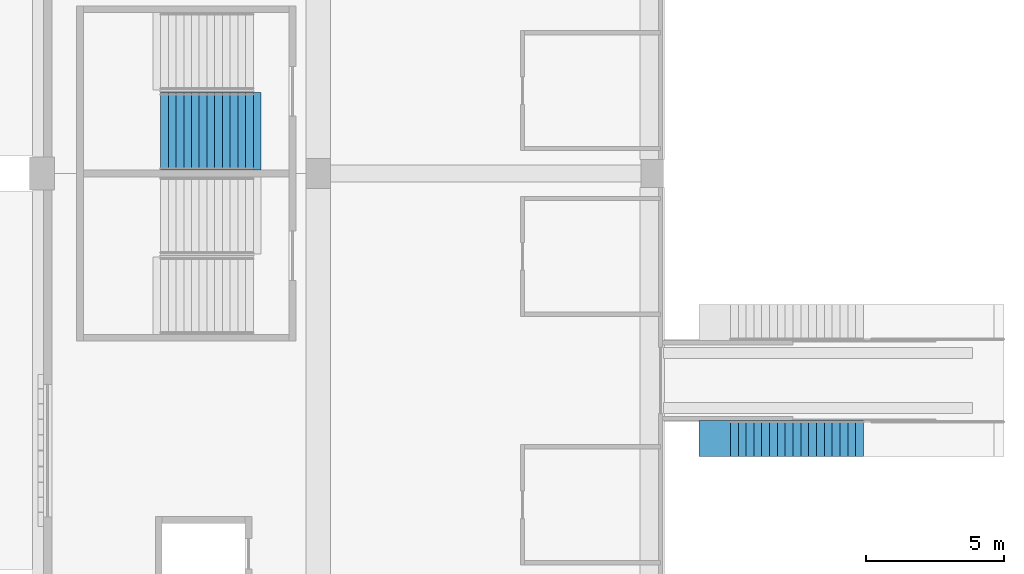
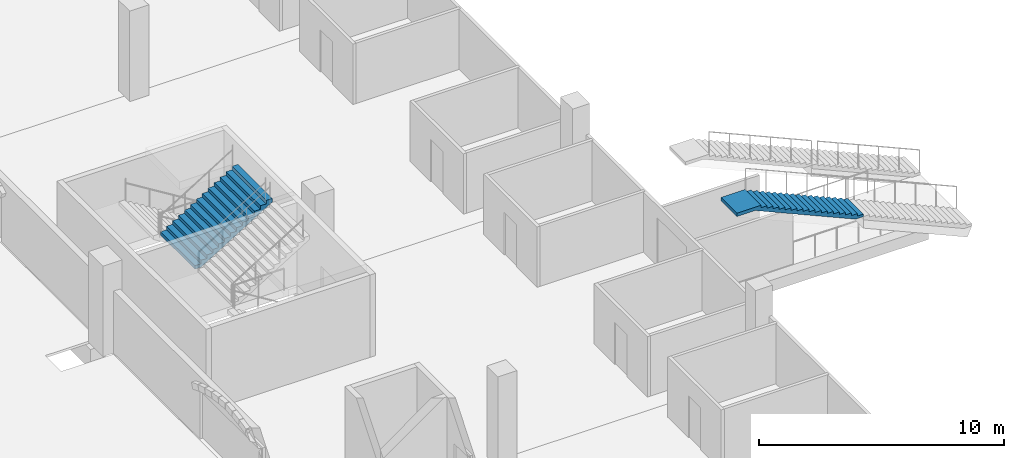
# One storey, part 85 of 175: 2 stair flights, 2 elements without a shape of their own.
"""IFC4 building model written with IfcOpenShell, lengths in metres."""

import ifcopenshell
import ifcopenshell.guid

model = None  # the IFC model being written
_history = None  # IfcOwnerHistory: only IFC2X3 demands one
_inside = {}  # id of a spatial element -> (the spatial element, [elements in it])
_under = {}  # id of a project, library or spatial element -> (it, [spatial elements below it])
_declared = {}  # id of a project -> (the project, [libraries it declares])
_typed = {}  # id of a type object -> (the type object, [elements of that type])
_made_of = {}  # id of a material, layer set ... -> (it, [elements and type objects made of it])


def new_model(schema):
    """Start an empty IFC model of exactly this schema.

    Asked for "IFC4X3", IfcOpenShell would pick the latest addendum, in which some entities
    have other attributes; the version numbers below select the first issue.
    IFC2X3 requires an IfcOwnerHistory on every rooted entity: one is made here for all.
    """
    global model, _history
    if schema == "IFC4X3":
        model = ifcopenshell.file(schema_version=(4, 3, 0, 0))
    else:
        model = ifcopenshell.file(schema=schema)
    _inside.clear()
    _under.clear()
    _declared.clear()
    _typed.clear()
    _made_of.clear()
    _history = None
    if model.schema == "IFC2X3":
        org = make("IfcOrganization", Name="unknown")
        user = make(
            "IfcPersonAndOrganization",
            ThePerson=make("IfcPerson", FamilyName="unknown"),
            TheOrganization=org,
        )
        app = make(
            "IfcApplication",
            ApplicationDeveloper=org,
            Version="unknown",
            ApplicationFullName="unknown",
            ApplicationIdentifier="unknown",
        )
        _history = make(
            "IfcOwnerHistory",
            OwningUser=user,
            OwningApplication=app,
            ChangeAction="ADDED",
            CreationDate=0,
        )
    return model


def make(cls, **values):
    """One entity of the class cls with the attributes given. An attribute that is None is left unset."""
    return model.create_entity(
        cls, **{name: value for name, value in values.items() if value is not None}
    )


def rooted(cls, **values):
    """An entity with a GlobalId (a new one), such as an element, a storey or a relation."""
    return make(cls, GlobalId=ifcopenshell.guid.new(), OwnerHistory=_history, **values)


def si_unit(unit_type, name, prefix=None):
    """IfcSIUnit, for example si_unit("LENGTHUNIT", "METRE", prefix="MILLI")."""
    return make("IfcSIUnit", UnitType=unit_type, Prefix=prefix, Name=name)


def assignment(units):
    """IfcUnitAssignment: the units of a project."""
    return None if units is None else make("IfcUnitAssignment", Units=units)


def point(xyz):
    """IfcCartesianPoint."""
    return None if xyz is None else make("IfcCartesianPoint", Coordinates=xyz)


def direction(xyz):
    """IfcDirection."""
    return None if xyz is None else make("IfcDirection", DirectionRatios=xyz)


def frame(location, z_axis=None, x_axis=None):
    """IfcAxis2Placement3D, a coordinate frame: its origin and axes. An axis left out is left unset."""
    return make(
        "IfcAxis2Placement3D",
        Location=point(location),
        Axis=direction(z_axis),
        RefDirection=direction(x_axis),
    )


def origin():
    """The frame at (0, 0, 0) with its axes left unset."""
    return frame((0.0, 0.0, 0.0))


def place(relative_to, where):
    """IfcLocalPlacement: puts the frame where relative to a parent placement (None: the world)."""
    return make(
        "IfcLocalPlacement", PlacementRelTo=relative_to, RelativePlacement=where
    )


def context(
    kind, dimensions, precision=None, world=None, true_north=None, identifier=None
):
    """IfcGeometricRepresentationContext, for example the 3D "Model" context."""
    return make(
        "IfcGeometricRepresentationContext",
        ContextIdentifier=identifier,
        ContextType=kind,
        CoordinateSpaceDimension=dimensions,
        Precision=precision,
        WorldCoordinateSystem=world,
        TrueNorth=true_north,
    )


def subcontext(parent, identifier, kind, view, scale=None):
    """IfcGeometricRepresentationSubContext, for example "Body" below "Model"."""
    return make(
        "IfcGeometricRepresentationSubContext",
        ContextIdentifier=identifier,
        ContextType=kind,
        ParentContext=parent,
        TargetScale=scale,
        TargetView=view,
    )


def project(units=None, contexts=None):
    """IfcProject with its units and contexts."""
    return rooted(
        "IfcProject",
        Name="project",
        RepresentationContexts=contexts,
        UnitsInContext=assignment(units),
    )


def spatial(cls, under=None, at=None, **own):
    """A site, building, storey or space (cls), placed at a placement, below another one or the project."""
    s = rooted(cls, ObjectPlacement=at, **own)
    if under is not None:
        _under.setdefault(under.id(), (under, []))[1].append(s)
    return s


def faces_of(points, faces, orient=None, outer=None):
    """IfcFace entities. A face is a list of loops; a loop is a list of indices into points, from 0.

    orient and outer hold one flag for each loop. By default every Orientation is true, the
    first loop of a face is its IfcFaceOuterBound and the others are IfcFaceBound.
    """
    made = []
    for i, loops in enumerate(faces):
        bounds = []
        for j, loop in enumerate(loops):
            is_outer = j == 0 if outer is None else outer[i][j]
            bounds.append(
                make(
                    "IfcFaceOuterBound" if is_outer else "IfcFaceBound",
                    Bound=make("IfcPolyLoop", Polygon=[points[k] for k in loop]),
                    Orientation=True if orient is None else orient[i][j],
                )
            )
        made.append(make("IfcFace", Bounds=bounds))
    return made


def faceted_brep(points, faces, orient=None, outer=None, voids=None):
    """IfcFacetedBrep: a solid bounded by flat faces; with voids (closed shells), ...WithVoids."""
    shared = [point(p) for p in points]
    hull = make("IfcClosedShell", CfsFaces=faces_of(shared, faces, orient, outer))
    if voids is None:
        return make("IfcFacetedBrep", Outer=hull)
    return make(
        "IfcFacetedBrepWithVoids",
        Outer=hull,
        Voids=[
            make(cls, CfsFaces=faces_of(shared, fs, o, b)) for cls, fs, o, b in voids
        ],
    )


def shape(context_of_items, identifier, shape_type, items):
    """IfcShapeRepresentation: the items that make up one representation, for example the "Body"."""
    return make(
        "IfcShapeRepresentation",
        ContextOfItems=context_of_items,
        RepresentationIdentifier=identifier,
        RepresentationType=shape_type,
        Items=items,
    )


def material(Name=None, Category=None):
    """IfcMaterial."""
    return make("IfcMaterial", Name=Name, Category=Category)


def made_of(thing, what):
    """Note that an element or type object is made of a material, layer set ...; save() writes the relation."""
    if what is not None:
        _made_of.setdefault(what.id(), (what, []))[1].append(thing)
    return thing


def type_object(cls, material=None, **own):
    """A type object (cls), such as IfcWallType, which elements share."""
    return made_of(rooted(cls, **own), material)


def element(
    cls,
    number,
    at=None,
    inside=None,
    cuts=None,
    type_object=None,
    material=None,
    context=None,
    identifier="Body",
    shape_type=None,
    held_by="IfcProductDefinitionShape",
    body=None,
    shapes=None,
    **own,
):
    """One element of the class cls, such as IfcWall. Its Tag is "e" and its number.

    at: its placement. inside: the storey or other place that contains it. cuts: it is an
    opening in that element (IfcRelVoidsElement). A single representation is given by context,
    identifier, shape_type and body (its items); several are given by shapes. held_by: the class
    of the entity that holds the representations. save() writes the other relations.
    """
    e = rooted(cls, Tag="e%d" % number, ObjectPlacement=at, **own)
    if body is not None:
        shapes = [shape(context, identifier, shape_type, body)]
    if shapes is not None:
        e.Representation = make(held_by, Representations=shapes)
    if inside is not None:
        _inside.setdefault(inside.id(), (inside, []))[1].append(e)
    if cuts is not None:
        rooted(
            "IfcRelVoidsElement", RelatingBuildingElement=cuts, RelatedOpeningElement=e
        )
    if type_object is not None:
        _typed.setdefault(type_object.id(), (type_object, []))[1].append(e)
    return made_of(e, material)


def aggregate(whole, parts):
    """IfcRelAggregates: a whole, such as a stair, and the parts it consists of."""
    return rooted("IfcRelAggregates", RelatingObject=whole, RelatedObjects=parts)


def save(model, path):
    """Write the relations noted so far, then the file.

    IfcRelAggregates (storeys below a building ...), IfcRelContainedInSpatialStructure (elements
    in a storey), IfcRelDefinesByType, IfcRelAssociatesMaterial and IfcRelDeclares: one each for
    every whole, place, type object, material and project.
    """
    for whole, parts in _under.values():
        aggregate(whole, parts)
    for where, things in _inside.values():
        rooted(
            "IfcRelContainedInSpatialStructure",
            RelatedElements=things,
            RelatingStructure=where,
        )
    for kind, things in _typed.values():
        rooted("IfcRelDefinesByType", RelatedObjects=things, RelatingType=kind)
    for what, things in _made_of.values():
        rooted("IfcRelAssociatesMaterial", RelatedObjects=things, RelatingMaterial=what)
    for by, libraries in _declared.values():
        rooted("IfcRelDeclares", RelatingContext=by, RelatedDefinitions=libraries)
    model.write(path)


model = new_model("IFC4")

# Units and contexts
model_context = context("Model", 3, precision=1e-05, world=origin(), true_north=direction((0.0, 1.0)))
body_context = subcontext(model_context, "Body", "Model", "MODEL_VIEW")
ifc_project = project(units=[si_unit("LENGTHUNIT", "METRE"), si_unit("AREAUNIT", "SQUARE_METRE"), si_unit("VOLUMEUNIT", "CUBIC_METRE"), si_unit("PLANEANGLEUNIT", "RADIAN"), si_unit("MASSUNIT", "GRAM", prefix="KILO")], contexts=[model_context])

# Site, building, storey
site_placement = place(None, origin())
site = spatial("IfcSite", under=ifc_project, at=site_placement, CompositionType="ELEMENT")
building_placement = place(site_placement, origin())
building = spatial("IfcBuilding", under=site, at=building_placement, Name="Ogive Plaza Stadium", CompositionType="ELEMENT")
storey_placement = place(building_placement, origin())
storey = spatial("IfcBuildingStorey", under=building, at=storey_placement, Name="L00", CompositionType="ELEMENT", Elevation=0.0)

# Stair, stair flight
ifc_material_1 = material(Name="Concrete C40/50", Category="concrete")
stair_type_1 = type_object("IfcStairType", Name="Aisle stair", PredefinedType="STRAIGHT_RUN_STAIR", material=ifc_material_1)
stair_1_placement = place(storey_placement, origin())
stair_1 = element("IfcStair", 1, at=stair_1_placement, inside=storey, type_object=stair_type_1, Name="Aisle stair SA25R", PredefinedType="STRAIGHT_RUN_STAIR")
ifc_material_2 = material(Name="Concrete C40/50", Category="concrete")
stair_flight_type_1 = type_object("IfcStairFlightType", Name="Aisle stair flight", PredefinedType="STRAIGHT", material=ifc_material_2)
stair_flight_1_placement = place(storey_placement, frame((-54.25, 12.89990234375, 2.25), z_axis=(0.0, 0.0, 1.0), x_axis=(-1.0, 0.0, 0.0)))
stair_flight_1 = element("IfcStairFlight", 2, at=stair_flight_1_placement, type_object=stair_flight_type_1, Name="SA25R flight 2", NumberOfRisers=18, NumberOfTreads=17, PredefinedType="STRAIGHT", RiserHeight=0.125, TreadLength=0.283333333, context=body_context, shape_type="Brep", body=[
    faceted_brep([(0.371337890625, -0.64990234375, 0.0), (5.10009765625, -0.64990234375, 2.086181640625), (5.949951171875, -0.64990234375, 2.086181640625), (5.949951171875, -0.64990234375, 2.25), (4.816650390625, -0.64990234375, 2.25), (4.816650390625, -0.64990234375, 2.125), (4.533447265625, -0.64990234375, 2.125), (4.533447265625, -0.64990234375, 2.0), (4.25, -0.64990234375, 2.0), (4.25, -0.64990234375, 1.875), (3.966552734375, -0.64990234375, 1.875), (3.966552734375, -0.64990234375, 1.75), (3.683349609375, -0.64990234375, 1.75), (3.683349609375, -0.64990234375, 1.625), (3.39990234375, -0.64990234375, 1.625), (3.39990234375, -0.64990234375, 1.5), (3.11669921875, -0.64990234375, 1.5), (3.11669921875, -0.64990234375, 1.375), (2.833251953125, -0.64990234375, 1.375), (2.833251953125, -0.64990234375, 1.25), (2.550048828125, -0.64990234375, 1.25), (2.550048828125, -0.64990234375, 1.125), (2.2666015625, -0.64990234375, 1.125), (2.2666015625, -0.64990234375, 1.0), (1.9833984375, -0.64990234375, 1.0), (1.9833984375, -0.64990234375, 0.875), (1.699951171875, -0.64990234375, 0.875), (1.699951171875, -0.64990234375, 0.75), (1.416748046875, -0.64990234375, 0.75), (1.416748046875, -0.64990234375, 0.625), (1.13330078125, -0.64990234375, 0.625), (1.13330078125, -0.64990234375, 0.5), (0.85009765625, -0.64990234375, 0.5), (0.85009765625, -0.64990234375, 0.375), (0.566650390625, -0.64990234375, 0.375), (0.566650390625, -0.64990234375, 0.25), (0.283447265625, -0.64990234375, 0.25), (0.283447265625, -0.64990234375, 0.125), (0.0, -0.64990234375, 0.125), (0.0, -0.64990234375, 0.0), (0.0, 0.64990234375, 0.0), (0.0, 0.64990234375, 0.125), (0.283447265625, 0.64990234375, 0.125), (0.283447265625, 0.64990234375, 0.25), (0.566650390625, 0.64990234375, 0.25), (0.566650390625, 0.64990234375, 0.375), (0.85009765625, 0.64990234375, 0.375), (0.85009765625, 0.64990234375, 0.5), (1.13330078125, 0.64990234375, 0.5), (1.13330078125, 0.64990234375, 0.625), (1.416748046875, 0.64990234375, 0.625), (1.416748046875, 0.64990234375, 0.75), (1.699951171875, 0.64990234375, 0.75), (1.699951171875, 0.64990234375, 0.875), (1.9833984375, 0.64990234375, 0.875), (1.9833984375, 0.64990234375, 1.0), (2.2666015625, 0.64990234375, 1.0), (2.2666015625, 0.64990234375, 1.125), (2.550048828125, 0.64990234375, 1.125), (2.550048828125, 0.64990234375, 1.25), (2.833251953125, 0.64990234375, 1.25), (2.833251953125, 0.64990234375, 1.375), (3.11669921875, 0.64990234375, 1.375), (3.11669921875, 0.64990234375, 1.5), (3.39990234375, 0.64990234375, 1.5), (3.39990234375, 0.64990234375, 1.625), (3.683349609375, 0.64990234375, 1.625), (3.683349609375, 0.64990234375, 1.75), (3.966552734375, 0.64990234375, 1.75), (3.966552734375, 0.64990234375, 1.875), (4.25, 0.64990234375, 1.875), (4.25, 0.64990234375, 2.0), (4.533447265625, 0.64990234375, 2.0), (4.533447265625, 0.64990234375, 2.125), (4.816650390625, 0.64990234375, 2.125), (4.816650390625, 0.64990234375, 2.25), (5.949951171875, 0.64990234375, 2.25), (5.949951171875, 0.64990234375, 2.086181640625), (5.10009765625, 0.64990234375, 2.086181640625), (0.371337890625, 0.64990234375, 0.0), (0.371337890625, -0.324951171875, 0.0), (5.10009765625, -0.324951171875, 2.086181640625), (0.371337890625, 0.0, 0.0), (5.10009765625, 0.0, 2.086181640625), (0.371337890625, 0.324951171875, 0.0), (5.10009765625, 0.324951171875, 2.086181640625), (5.949951171875, -0.324951171875, 2.086181640625), (5.949951171875, 0.0, 2.086181640625), (5.949951171875, 0.324951171875, 2.086181640625), (5.949951171875, -0.324951171875, 2.25), (5.949951171875, 0.0, 2.25), (5.949951171875, 0.324951171875, 2.25), (4.816650390625, -0.324951171875, 2.25), (4.816650390625, 0.0, 2.25), (4.816650390625, 0.324951171875, 2.25), (4.816650390625, -0.324951171875, 2.125), (4.816650390625, 0.0, 2.125), (4.816650390625, 0.324951171875, 2.125), (4.533447265625, -0.324951171875, 2.125), (4.533447265625, 0.0, 2.125), (4.533447265625, 0.324951171875, 2.125), (4.533447265625, -0.324951171875, 2.0), (4.533447265625, 0.0, 2.0), (4.533447265625, 0.324951171875, 2.0), (4.25, -0.324951171875, 2.0), (4.25, 0.0, 2.0), (4.25, 0.324951171875, 2.0), (4.25, -0.324951171875, 1.875), (4.25, 0.0, 1.875), (4.25, 0.324951171875, 1.875), (3.966552734375, -0.324951171875, 1.875), (3.966552734375, 0.0, 1.875), (3.966552734375, 0.324951171875, 1.875), (3.966552734375, -0.324951171875, 1.75), (3.966552734375, 0.0, 1.75), (3.966552734375, 0.324951171875, 1.75), (3.683349609375, -0.324951171875, 1.75), (3.683349609375, 0.0, 1.75), (3.683349609375, 0.324951171875, 1.75), (3.683349609375, -0.324951171875, 1.625), (3.683349609375, 0.0, 1.625), (3.683349609375, 0.324951171875, 1.625), (3.39990234375, -0.324951171875, 1.625), (3.39990234375, 0.0, 1.625), (3.39990234375, 0.324951171875, 1.625), (3.39990234375, -0.324951171875, 1.5), (3.39990234375, 0.0, 1.5), (3.39990234375, 0.324951171875, 1.5), (3.11669921875, -0.324951171875, 1.5), (3.11669921875, 0.0, 1.5), (3.11669921875, 0.324951171875, 1.5), (3.11669921875, -0.324951171875, 1.375), (3.11669921875, 0.0, 1.375), (3.11669921875, 0.324951171875, 1.375), (2.833251953125, -0.324951171875, 1.375), (2.833251953125, 0.0, 1.375), (2.833251953125, 0.324951171875, 1.375), (2.833251953125, -0.324951171875, 1.25), (2.833251953125, 0.0, 1.25), (2.833251953125, 0.324951171875, 1.25), (2.550048828125, -0.324951171875, 1.25), (2.550048828125, 0.0, 1.25), (2.550048828125, 0.324951171875, 1.25), (2.550048828125, -0.324951171875, 1.125), (2.550048828125, 0.0, 1.125), (2.550048828125, 0.324951171875, 1.125), (2.2666015625, -0.324951171875, 1.125), (2.2666015625, 0.0, 1.125), (2.2666015625, 0.324951171875, 1.125), (2.2666015625, -0.324951171875, 1.0), (2.2666015625, 0.0, 1.0), (2.2666015625, 0.324951171875, 1.0), (1.9833984375, -0.324951171875, 1.0), (1.9833984375, 0.0, 1.0), (1.9833984375, 0.324951171875, 1.0), (1.9833984375, -0.324951171875, 0.875), (1.9833984375, 0.0, 0.875), (1.9833984375, 0.324951171875, 0.875), (1.699951171875, -0.324951171875, 0.875), (1.699951171875, 0.0, 0.875), (1.699951171875, 0.324951171875, 0.875), (1.699951171875, -0.324951171875, 0.75), (1.699951171875, 0.0, 0.75), (1.699951171875, 0.324951171875, 0.75), (1.416748046875, -0.324951171875, 0.75), (1.416748046875, 0.0, 0.75), (1.416748046875, 0.324951171875, 0.75), (1.416748046875, -0.324951171875, 0.625), (1.416748046875, 0.0, 0.625), (1.416748046875, 0.324951171875, 0.625), (1.13330078125, -0.324951171875, 0.625), (1.13330078125, 0.0, 0.625), (1.13330078125, 0.324951171875, 0.625), (1.13330078125, -0.324951171875, 0.5), (1.13330078125, 0.0, 0.5), (1.13330078125, 0.324951171875, 0.5), (0.85009765625, -0.324951171875, 0.5), (0.85009765625, 0.0, 0.5), (0.85009765625, 0.324951171875, 0.5), (0.85009765625, -0.324951171875, 0.375), (0.85009765625, 0.0, 0.375), (0.85009765625, 0.324951171875, 0.375), (0.566650390625, -0.324951171875, 0.375), (0.566650390625, 0.0, 0.375), (0.566650390625, 0.324951171875, 0.375), (0.566650390625, -0.324951171875, 0.25), (0.566650390625, 0.0, 0.25), (0.566650390625, 0.324951171875, 0.25), (0.283447265625, -0.324951171875, 0.25), (0.283447265625, 0.0, 0.25), (0.283447265625, 0.324951171875, 0.25), (0.283447265625, -0.324951171875, 0.125), (0.283447265625, 0.0, 0.125), (0.283447265625, 0.324951171875, 0.125), (0.0, -0.324951171875, 0.125), (0.0, 0.0, 0.125), (0.0, 0.324951171875, 0.125), (0.0, -0.324951171875, 0.0), (0.0, 0.0, 0.0), (0.0, 0.324951171875, 0.0)], [[[0, 1, 2, 3, 4, 5, 6, 7, 8, 9, 10, 11, 12, 13, 14, 15, 16, 17, 18, 19, 20, 21, 22, 23, 24, 25, 26, 27, 28, 29, 30, 31, 32, 33, 34, 35, 36, 37, 38, 39]], [[40, 41, 42, 43, 44, 45, 46, 47, 48, 49, 50, 51, 52, 53, 54, 55, 56, 57, 58, 59, 60, 61, 62, 63, 64, 65, 66, 67, 68, 69, 70, 71, 72, 73, 74, 75, 76, 77, 78, 79]], [[0, 80, 81, 1]], [[80, 82, 83, 81]], [[82, 84, 85, 83]], [[84, 79, 78, 85]], [[1, 81, 86, 2]], [[81, 83, 87, 86]], [[83, 85, 88, 87]], [[85, 78, 77, 88]], [[2, 86, 89, 3]], [[86, 87, 90, 89]], [[87, 88, 91, 90]], [[88, 77, 76, 91]], [[3, 89, 92, 4]], [[89, 90, 93, 92]], [[90, 91, 94, 93]], [[91, 76, 75, 94]], [[4, 92, 95, 5]], [[92, 93, 96, 95]], [[93, 94, 97, 96]], [[94, 75, 74, 97]], [[5, 95, 98, 6]], [[95, 96, 99, 98]], [[96, 97, 100, 99]], [[97, 74, 73, 100]], [[6, 98, 101, 7]], [[98, 99, 102, 101]], [[99, 100, 103, 102]], [[100, 73, 72, 103]], [[7, 101, 104, 8]], [[101, 102, 105, 104]], [[102, 103, 106, 105]], [[103, 72, 71, 106]], [[8, 104, 107, 9]], [[104, 105, 108, 107]], [[105, 106, 109, 108]], [[106, 71, 70, 109]], [[9, 107, 110, 10]], [[107, 108, 111, 110]], [[108, 109, 112, 111]], [[109, 70, 69, 112]], [[10, 110, 113, 11]], [[110, 111, 114, 113]], [[111, 112, 115, 114]], [[112, 69, 68, 115]], [[11, 113, 116, 12]], [[113, 114, 117, 116]], [[114, 115, 118, 117]], [[115, 68, 67, 118]], [[12, 116, 119, 13]], [[116, 117, 120, 119]], [[117, 118, 121, 120]], [[118, 67, 66, 121]], [[13, 119, 122, 14]], [[119, 120, 123, 122]], [[120, 121, 124, 123]], [[121, 66, 65, 124]], [[14, 122, 125, 15]], [[122, 123, 126, 125]], [[123, 124, 127, 126]], [[124, 65, 64, 127]], [[15, 125, 128, 16]], [[125, 126, 129, 128]], [[126, 127, 130, 129]], [[127, 64, 63, 130]], [[16, 128, 131, 17]], [[128, 129, 132, 131]], [[129, 130, 133, 132]], [[130, 63, 62, 133]], [[17, 131, 134, 18]], [[131, 132, 135, 134]], [[132, 133, 136, 135]], [[133, 62, 61, 136]], [[18, 134, 137, 19]], [[134, 135, 138, 137]], [[135, 136, 139, 138]], [[136, 61, 60, 139]], [[19, 137, 140, 20]], [[137, 138, 141, 140]], [[138, 139, 142, 141]], [[139, 60, 59, 142]], [[20, 140, 143, 21]], [[140, 141, 144, 143]], [[141, 142, 145, 144]], [[142, 59, 58, 145]], [[21, 143, 146, 22]], [[143, 144, 147, 146]], [[144, 145, 148, 147]], [[145, 58, 57, 148]], [[22, 146, 149, 23]], [[146, 147, 150, 149]], [[147, 148, 151, 150]], [[148, 57, 56, 151]], [[23, 149, 152, 24]], [[149, 150, 153, 152]], [[150, 151, 154, 153]], [[151, 56, 55, 154]], [[24, 152, 155, 25]], [[152, 153, 156, 155]], [[153, 154, 157, 156]], [[154, 55, 54, 157]], [[25, 155, 158, 26]], [[155, 156, 159, 158]], [[156, 157, 160, 159]], [[157, 54, 53, 160]], [[26, 158, 161, 27]], [[158, 159, 162, 161]], [[159, 160, 163, 162]], [[160, 53, 52, 163]], [[27, 161, 164, 28]], [[161, 162, 165, 164]], [[162, 163, 166, 165]], [[163, 52, 51, 166]], [[28, 164, 167, 29]], [[164, 165, 168, 167]], [[165, 166, 169, 168]], [[166, 51, 50, 169]], [[29, 167, 170, 30]], [[167, 168, 171, 170]], [[168, 169, 172, 171]], [[169, 50, 49, 172]], [[30, 170, 173, 31]], [[170, 171, 174, 173]], [[171, 172, 175, 174]], [[172, 49, 48, 175]], [[31, 173, 176, 32]], [[173, 174, 177, 176]], [[174, 175, 178, 177]], [[175, 48, 47, 178]], [[32, 176, 179, 33]], [[176, 177, 180, 179]], [[177, 178, 181, 180]], [[178, 47, 46, 181]], [[33, 179, 182, 34]], [[179, 180, 183, 182]], [[180, 181, 184, 183]], [[181, 46, 45, 184]], [[34, 182, 185, 35]], [[182, 183, 186, 185]], [[183, 184, 187, 186]], [[184, 45, 44, 187]], [[35, 185, 188, 36]], [[185, 186, 189, 188]], [[186, 187, 190, 189]], [[187, 44, 43, 190]], [[36, 188, 191, 37]], [[188, 189, 192, 191]], [[189, 190, 193, 192]], [[190, 43, 42, 193]], [[37, 191, 194, 38]], [[191, 192, 195, 194]], [[192, 193, 196, 195]], [[193, 42, 41, 196]], [[38, 194, 197, 39]], [[194, 195, 198, 197]], [[195, 196, 199, 198]], [[196, 41, 40, 199]], [[39, 197, 80, 0]], [[197, 198, 82, 80]], [[198, 199, 84, 82]], [[199, 40, 79, 84]]]),
])
aggregate(stair_1, [stair_flight_1])

ifc_material_3 = material(Name="Concrete C40/50", Category="concrete")
stair_type_2 = type_object("IfcStairType", Name="Exit stair", PredefinedType="STRAIGHT_RUN_STAIR", material=ifc_material_3)
stair_2_placement = place(storey_placement, origin())
stair_2 = element("IfcStair", 3, at=stair_2_placement, inside=storey, type_object=stair_type_2, Name="Exit stair ST26A L00 to L01", PredefinedType="STRAIGHT_RUN_STAIR")
ifc_material_4 = material(Name="Concrete C40/50", Category="concrete")
stair_flight_type_2 = type_object("IfcStairFlightType", Name="Exit stair flight", PredefinedType="STRAIGHT", material=ifc_material_4)
stair_flight_2_placement = place(storey_placement, frame((-79.7099609375, 24.02490234375, 2.25), z_axis=(0.0, 0.0, 1.0), x_axis=(1.0, 0.0, 0.0)))
stair_flight_2 = element("IfcStairFlight", 4, at=stair_flight_2_placement, type_object=stair_flight_type_2, Name="ST26A flight 2", NumberOfRisers=13, NumberOfTreads=12, PredefinedType="STRAIGHT", RiserHeight=0.173076923, TreadLength=0.28, context=body_context, shape_type="Brep", body=[
    faceted_brep([(0.28515625, -1.39990234375, 0.0), (3.639892578125, -1.39990234375, 2.07373046875), (3.639892578125, -1.39990234375, 2.25), (3.360107421875, -1.39990234375, 2.25), (3.360107421875, -1.39990234375, 2.076904296875), (3.080078125, -1.39990234375, 2.076904296875), (3.080078125, -1.39990234375, 1.90380859375), (2.800048828125, -1.39990234375, 1.90380859375), (2.800048828125, -1.39990234375, 1.730712890625), (2.52001953125, -1.39990234375, 1.730712890625), (2.52001953125, -1.39990234375, 1.5576171875), (2.239990234375, -1.39990234375, 1.5576171875), (2.239990234375, -1.39990234375, 1.384521484375), (1.9599609375, -1.39990234375, 1.384521484375), (1.9599609375, -1.39990234375, 1.21142578125), (1.679931640625, -1.39990234375, 1.21142578125), (1.679931640625, -1.39990234375, 1.03857421875), (1.39990234375, -1.39990234375, 1.03857421875), (1.39990234375, -1.39990234375, 0.865478515625), (1.1201171875, -1.39990234375, 0.865478515625), (1.1201171875, -1.39990234375, 0.6923828125), (0.840087890625, -1.39990234375, 0.6923828125), (0.840087890625, -1.39990234375, 0.519287109375), (0.56005859375, -1.39990234375, 0.519287109375), (0.56005859375, -1.39990234375, 0.34619140625), (0.280029296875, -1.39990234375, 0.34619140625), (0.280029296875, -1.39990234375, 0.173095703125), (0.0, -1.39990234375, 0.173095703125), (0.0, -1.39990234375, 0.0), (0.0, 1.39990234375, 0.0), (0.0, 1.39990234375, 0.173095703125), (0.280029296875, 1.39990234375, 0.173095703125), (0.280029296875, 1.39990234375, 0.34619140625), (0.56005859375, 1.39990234375, 0.34619140625), (0.56005859375, 1.39990234375, 0.519287109375), (0.840087890625, 1.39990234375, 0.519287109375), (0.840087890625, 1.39990234375, 0.6923828125), (1.1201171875, 1.39990234375, 0.6923828125), (1.1201171875, 1.39990234375, 0.865478515625), (1.39990234375, 1.39990234375, 0.865478515625), (1.39990234375, 1.39990234375, 1.03857421875), (1.679931640625, 1.39990234375, 1.03857421875), (1.679931640625, 1.39990234375, 1.21142578125), (1.9599609375, 1.39990234375, 1.21142578125), (1.9599609375, 1.39990234375, 1.384521484375), (2.239990234375, 1.39990234375, 1.384521484375), (2.239990234375, 1.39990234375, 1.5576171875), (2.52001953125, 1.39990234375, 1.5576171875), (2.52001953125, 1.39990234375, 1.730712890625), (2.800048828125, 1.39990234375, 1.730712890625), (2.800048828125, 1.39990234375, 1.90380859375), (3.080078125, 1.39990234375, 1.90380859375), (3.080078125, 1.39990234375, 2.076904296875), (3.360107421875, 1.39990234375, 2.076904296875), (3.360107421875, 1.39990234375, 2.25), (3.639892578125, 1.39990234375, 2.25), (3.639892578125, 1.39990234375, 2.07373046875), (0.28515625, 1.39990234375, 0.0), (0.28515625, -1.0888671875, 0.0), (3.639892578125, -1.0888671875, 2.07373046875), (0.28515625, -0.77783203125, 0.0), (3.639892578125, -0.77783203125, 2.07373046875), (0.28515625, -0.466796875, 0.0), (3.639892578125, -0.466796875, 2.07373046875), (0.28515625, -0.155517578125, 0.0), (3.639892578125, -0.155517578125, 2.07373046875), (0.28515625, 0.155517578125, 0.0), (3.639892578125, 0.155517578125, 2.07373046875), (0.28515625, 0.466796875, 0.0), (3.639892578125, 0.466796875, 2.07373046875), (0.28515625, 0.77783203125, 0.0), (3.639892578125, 0.77783203125, 2.07373046875), (0.28515625, 1.0888671875, 0.0), (3.639892578125, 1.0888671875, 2.07373046875), (3.639892578125, -1.0888671875, 2.25), (3.639892578125, -0.77783203125, 2.25), (3.639892578125, -0.466796875, 2.25), (3.639892578125, -0.155517578125, 2.25), (3.639892578125, 0.155517578125, 2.25), (3.639892578125, 0.466796875, 2.25), (3.639892578125, 0.77783203125, 2.25), (3.639892578125, 1.0888671875, 2.25), (3.360107421875, -1.0888671875, 2.25), (3.360107421875, -0.77783203125, 2.25), (3.360107421875, -0.466796875, 2.25), (3.360107421875, -0.155517578125, 2.25), (3.360107421875, 0.155517578125, 2.25), (3.360107421875, 0.466796875, 2.25), (3.360107421875, 0.77783203125, 2.25), (3.360107421875, 1.0888671875, 2.25), (3.360107421875, -1.0888671875, 2.076904296875), (3.360107421875, -0.77783203125, 2.076904296875), (3.360107421875, -0.466796875, 2.076904296875), (3.360107421875, -0.155517578125, 2.076904296875), (3.360107421875, 0.155517578125, 2.076904296875), (3.360107421875, 0.466796875, 2.076904296875), (3.360107421875, 0.77783203125, 2.076904296875), (3.360107421875, 1.0888671875, 2.076904296875), (3.080078125, -1.0888671875, 2.076904296875), (3.080078125, -0.77783203125, 2.076904296875), (3.080078125, -0.466796875, 2.076904296875), (3.080078125, -0.155517578125, 2.076904296875), (3.080078125, 0.155517578125, 2.076904296875), (3.080078125, 0.466796875, 2.076904296875), (3.080078125, 0.77783203125, 2.076904296875), (3.080078125, 1.0888671875, 2.076904296875), (3.080078125, -1.0888671875, 1.90380859375), (3.080078125, -0.77783203125, 1.90380859375), (3.080078125, -0.466796875, 1.90380859375), (3.080078125, -0.155517578125, 1.90380859375), (3.080078125, 0.155517578125, 1.90380859375), (3.080078125, 0.466796875, 1.90380859375), (3.080078125, 0.77783203125, 1.90380859375), (3.080078125, 1.0888671875, 1.90380859375), (2.800048828125, -1.0888671875, 1.90380859375), (2.800048828125, -0.77783203125, 1.90380859375), (2.800048828125, -0.466796875, 1.90380859375), (2.800048828125, -0.155517578125, 1.90380859375), (2.800048828125, 0.155517578125, 1.90380859375), (2.800048828125, 0.466796875, 1.90380859375), (2.800048828125, 0.77783203125, 1.90380859375), (2.800048828125, 1.0888671875, 1.90380859375), (2.800048828125, -1.0888671875, 1.730712890625), (2.800048828125, -0.77783203125, 1.730712890625), (2.800048828125, -0.466796875, 1.730712890625), (2.800048828125, -0.155517578125, 1.730712890625), (2.800048828125, 0.155517578125, 1.730712890625), (2.800048828125, 0.466796875, 1.730712890625), (2.800048828125, 0.77783203125, 1.730712890625), (2.800048828125, 1.0888671875, 1.730712890625), (2.52001953125, -1.0888671875, 1.730712890625), (2.52001953125, -0.77783203125, 1.730712890625), (2.52001953125, -0.466796875, 1.730712890625), (2.52001953125, -0.155517578125, 1.730712890625), (2.52001953125, 0.155517578125, 1.730712890625), (2.52001953125, 0.466796875, 1.730712890625), (2.52001953125, 0.77783203125, 1.730712890625), (2.52001953125, 1.0888671875, 1.730712890625), (2.52001953125, -1.0888671875, 1.5576171875), (2.52001953125, -0.77783203125, 1.5576171875), (2.52001953125, -0.466796875, 1.5576171875), (2.52001953125, -0.155517578125, 1.5576171875), (2.52001953125, 0.155517578125, 1.5576171875), (2.52001953125, 0.466796875, 1.5576171875), (2.52001953125, 0.77783203125, 1.5576171875), (2.52001953125, 1.0888671875, 1.5576171875), (2.239990234375, -1.0888671875, 1.5576171875), (2.239990234375, -0.77783203125, 1.5576171875), (2.239990234375, -0.466796875, 1.5576171875), (2.239990234375, -0.155517578125, 1.5576171875), (2.239990234375, 0.155517578125, 1.5576171875), (2.239990234375, 0.466796875, 1.5576171875), (2.239990234375, 0.77783203125, 1.5576171875), (2.239990234375, 1.0888671875, 1.5576171875), (2.239990234375, -1.0888671875, 1.384521484375), (2.239990234375, -0.77783203125, 1.384521484375), (2.239990234375, -0.466796875, 1.384521484375), (2.239990234375, -0.155517578125, 1.384521484375), (2.239990234375, 0.155517578125, 1.384521484375), (2.239990234375, 0.466796875, 1.384521484375), (2.239990234375, 0.77783203125, 1.384521484375), (2.239990234375, 1.0888671875, 1.384521484375), (1.9599609375, -1.0888671875, 1.384521484375), (1.9599609375, -0.77783203125, 1.384521484375), (1.9599609375, -0.466796875, 1.384521484375), (1.9599609375, -0.155517578125, 1.384521484375), (1.9599609375, 0.155517578125, 1.384521484375), (1.9599609375, 0.466796875, 1.384521484375), (1.9599609375, 0.77783203125, 1.384521484375), (1.9599609375, 1.0888671875, 1.384521484375), (1.9599609375, -1.0888671875, 1.21142578125), (1.9599609375, -0.77783203125, 1.21142578125), (1.9599609375, -0.466796875, 1.21142578125), (1.9599609375, -0.155517578125, 1.21142578125), (1.9599609375, 0.155517578125, 1.21142578125), (1.9599609375, 0.466796875, 1.21142578125), (1.9599609375, 0.77783203125, 1.21142578125), (1.9599609375, 1.0888671875, 1.21142578125), (1.679931640625, -1.0888671875, 1.21142578125), (1.679931640625, -0.77783203125, 1.21142578125), (1.679931640625, -0.466796875, 1.21142578125), (1.679931640625, -0.155517578125, 1.21142578125), (1.679931640625, 0.155517578125, 1.21142578125), (1.679931640625, 0.466796875, 1.21142578125), (1.679931640625, 0.77783203125, 1.21142578125), (1.679931640625, 1.0888671875, 1.21142578125), (1.679931640625, -1.0888671875, 1.03857421875), (1.679931640625, -0.77783203125, 1.03857421875), (1.679931640625, -0.466796875, 1.03857421875), (1.679931640625, -0.155517578125, 1.03857421875), (1.679931640625, 0.155517578125, 1.03857421875), (1.679931640625, 0.466796875, 1.03857421875), (1.679931640625, 0.77783203125, 1.03857421875), (1.679931640625, 1.0888671875, 1.03857421875), (1.39990234375, -1.0888671875, 1.03857421875), (1.39990234375, -0.77783203125, 1.03857421875), (1.39990234375, -0.466796875, 1.03857421875), (1.39990234375, -0.155517578125, 1.03857421875), (1.39990234375, 0.155517578125, 1.03857421875), (1.39990234375, 0.466796875, 1.03857421875), (1.39990234375, 0.77783203125, 1.03857421875), (1.39990234375, 1.0888671875, 1.03857421875), (1.39990234375, -1.0888671875, 0.865478515625), (1.39990234375, -0.77783203125, 0.865478515625), (1.39990234375, -0.466796875, 0.865478515625), (1.39990234375, -0.155517578125, 0.865478515625), (1.39990234375, 0.155517578125, 0.865478515625), (1.39990234375, 0.466796875, 0.865478515625), (1.39990234375, 0.77783203125, 0.865478515625), (1.39990234375, 1.0888671875, 0.865478515625), (1.1201171875, -1.0888671875, 0.865478515625), (1.1201171875, -0.77783203125, 0.865478515625), (1.1201171875, -0.466796875, 0.865478515625), (1.1201171875, -0.155517578125, 0.865478515625), (1.1201171875, 0.155517578125, 0.865478515625), (1.1201171875, 0.466796875, 0.865478515625), (1.1201171875, 0.77783203125, 0.865478515625), (1.1201171875, 1.0888671875, 0.865478515625), (1.1201171875, -1.0888671875, 0.6923828125), (1.1201171875, -0.77783203125, 0.6923828125), (1.1201171875, -0.466796875, 0.6923828125), (1.1201171875, -0.155517578125, 0.6923828125), (1.1201171875, 0.155517578125, 0.6923828125), (1.1201171875, 0.466796875, 0.6923828125), (1.1201171875, 0.77783203125, 0.6923828125), (1.1201171875, 1.0888671875, 0.6923828125), (0.840087890625, -1.0888671875, 0.6923828125), (0.840087890625, -0.77783203125, 0.6923828125), (0.840087890625, -0.466796875, 0.6923828125), (0.840087890625, -0.155517578125, 0.6923828125), (0.840087890625, 0.155517578125, 0.6923828125), (0.840087890625, 0.466796875, 0.6923828125), (0.840087890625, 0.77783203125, 0.6923828125), (0.840087890625, 1.0888671875, 0.6923828125), (0.840087890625, -1.0888671875, 0.519287109375), (0.840087890625, -0.77783203125, 0.519287109375), (0.840087890625, -0.466796875, 0.519287109375), (0.840087890625, -0.155517578125, 0.519287109375), (0.840087890625, 0.155517578125, 0.519287109375), (0.840087890625, 0.466796875, 0.519287109375), (0.840087890625, 0.77783203125, 0.519287109375), (0.840087890625, 1.0888671875, 0.519287109375), (0.56005859375, -1.0888671875, 0.519287109375), (0.56005859375, -0.77783203125, 0.519287109375), (0.56005859375, -0.466796875, 0.519287109375), (0.56005859375, -0.155517578125, 0.519287109375), (0.56005859375, 0.155517578125, 0.519287109375), (0.56005859375, 0.466796875, 0.519287109375), (0.56005859375, 0.77783203125, 0.519287109375), (0.56005859375, 1.0888671875, 0.519287109375), (0.56005859375, -1.0888671875, 0.34619140625), (0.56005859375, -0.77783203125, 0.34619140625), (0.56005859375, -0.466796875, 0.34619140625), (0.56005859375, -0.155517578125, 0.34619140625), (0.56005859375, 0.155517578125, 0.34619140625), (0.56005859375, 0.466796875, 0.34619140625), (0.56005859375, 0.77783203125, 0.34619140625), (0.56005859375, 1.0888671875, 0.34619140625), (0.280029296875, -1.0888671875, 0.34619140625), (0.280029296875, -0.77783203125, 0.34619140625), (0.280029296875, -0.466796875, 0.34619140625), (0.280029296875, -0.155517578125, 0.34619140625), (0.280029296875, 0.155517578125, 0.34619140625), (0.280029296875, 0.466796875, 0.34619140625), (0.280029296875, 0.77783203125, 0.34619140625), (0.280029296875, 1.0888671875, 0.34619140625), (0.280029296875, -1.0888671875, 0.173095703125), (0.280029296875, -0.77783203125, 0.173095703125), (0.280029296875, -0.466796875, 0.173095703125), (0.280029296875, -0.155517578125, 0.173095703125), (0.280029296875, 0.155517578125, 0.173095703125), (0.280029296875, 0.466796875, 0.173095703125), (0.280029296875, 0.77783203125, 0.173095703125), (0.280029296875, 1.0888671875, 0.173095703125), (0.0, -1.0888671875, 0.173095703125), (0.0, -0.77783203125, 0.173095703125), (0.0, -0.466796875, 0.173095703125), (0.0, -0.155517578125, 0.173095703125), (0.0, 0.155517578125, 0.173095703125), (0.0, 0.466796875, 0.173095703125), (0.0, 0.77783203125, 0.173095703125), (0.0, 1.0888671875, 0.173095703125), (0.0, -1.0888671875, 0.0), (0.0, -0.77783203125, 0.0), (0.0, -0.466796875, 0.0), (0.0, -0.155517578125, 0.0), (0.0, 0.155517578125, 0.0), (0.0, 0.466796875, 0.0), (0.0, 0.77783203125, 0.0), (0.0, 1.0888671875, 0.0)], [[[0, 1, 2, 3, 4, 5, 6, 7, 8, 9, 10, 11, 12, 13, 14, 15, 16, 17, 18, 19, 20, 21, 22, 23, 24, 25, 26, 27, 28]], [[29, 30, 31, 32, 33, 34, 35, 36, 37, 38, 39, 40, 41, 42, 43, 44, 45, 46, 47, 48, 49, 50, 51, 52, 53, 54, 55, 56, 57]], [[0, 58, 59, 1]], [[58, 60, 61, 59]], [[60, 62, 63, 61]], [[62, 64, 65, 63]], [[64, 66, 67, 65]], [[66, 68, 69, 67]], [[68, 70, 71, 69]], [[70, 72, 73, 71]], [[72, 57, 56, 73]], [[1, 59, 74, 2]], [[59, 61, 75, 74]], [[61, 63, 76, 75]], [[63, 65, 77, 76]], [[65, 67, 78, 77]], [[67, 69, 79, 78]], [[69, 71, 80, 79]], [[71, 73, 81, 80]], [[73, 56, 55, 81]], [[2, 74, 82, 3]], [[74, 75, 83, 82]], [[75, 76, 84, 83]], [[76, 77, 85, 84]], [[77, 78, 86, 85]], [[78, 79, 87, 86]], [[79, 80, 88, 87]], [[80, 81, 89, 88]], [[81, 55, 54, 89]], [[3, 82, 90, 4]], [[82, 83, 91, 90]], [[83, 84, 92, 91]], [[84, 85, 93, 92]], [[85, 86, 94, 93]], [[86, 87, 95, 94]], [[87, 88, 96, 95]], [[88, 89, 97, 96]], [[89, 54, 53, 97]], [[4, 90, 98, 5]], [[90, 91, 99, 98]], [[91, 92, 100, 99]], [[92, 93, 101, 100]], [[93, 94, 102, 101]], [[94, 95, 103, 102]], [[95, 96, 104, 103]], [[96, 97, 105, 104]], [[97, 53, 52, 105]], [[5, 98, 106, 6]], [[98, 99, 107, 106]], [[99, 100, 108, 107]], [[100, 101, 109, 108]], [[101, 102, 110, 109]], [[102, 103, 111, 110]], [[103, 104, 112, 111]], [[104, 105, 113, 112]], [[105, 52, 51, 113]], [[6, 106, 114, 7]], [[106, 107, 115, 114]], [[107, 108, 116, 115]], [[108, 109, 117, 116]], [[109, 110, 118, 117]], [[110, 111, 119, 118]], [[111, 112, 120, 119]], [[112, 113, 121, 120]], [[113, 51, 50, 121]], [[7, 114, 122, 8]], [[114, 115, 123, 122]], [[115, 116, 124, 123]], [[116, 117, 125, 124]], [[117, 118, 126, 125]], [[118, 119, 127, 126]], [[119, 120, 128, 127]], [[120, 121, 129, 128]], [[121, 50, 49, 129]], [[8, 122, 130, 9]], [[122, 123, 131, 130]], [[123, 124, 132, 131]], [[124, 125, 133, 132]], [[125, 126, 134, 133]], [[126, 127, 135, 134]], [[127, 128, 136, 135]], [[128, 129, 137, 136]], [[129, 49, 48, 137]], [[9, 130, 138, 10]], [[130, 131, 139, 138]], [[131, 132, 140, 139]], [[132, 133, 141, 140]], [[133, 134, 142, 141]], [[134, 135, 143, 142]], [[135, 136, 144, 143]], [[136, 137, 145, 144]], [[137, 48, 47, 145]], [[10, 138, 146, 11]], [[138, 139, 147, 146]], [[139, 140, 148, 147]], [[140, 141, 149, 148]], [[141, 142, 150, 149]], [[142, 143, 151, 150]], [[143, 144, 152, 151]], [[144, 145, 153, 152]], [[145, 47, 46, 153]], [[11, 146, 154, 12]], [[146, 147, 155, 154]], [[147, 148, 156, 155]], [[148, 149, 157, 156]], [[149, 150, 158, 157]], [[150, 151, 159, 158]], [[151, 152, 160, 159]], [[152, 153, 161, 160]], [[153, 46, 45, 161]], [[12, 154, 162, 13]], [[154, 155, 163, 162]], [[155, 156, 164, 163]], [[156, 157, 165, 164]], [[157, 158, 166, 165]], [[158, 159, 167, 166]], [[159, 160, 168, 167]], [[160, 161, 169, 168]], [[161, 45, 44, 169]], [[13, 162, 170, 14]], [[162, 163, 171, 170]], [[163, 164, 172, 171]], [[164, 165, 173, 172]], [[165, 166, 174, 173]], [[166, 167, 175, 174]], [[167, 168, 176, 175]], [[168, 169, 177, 176]], [[169, 44, 43, 177]], [[14, 170, 178, 15]], [[170, 171, 179, 178]], [[171, 172, 180, 179]], [[172, 173, 181, 180]], [[173, 174, 182, 181]], [[174, 175, 183, 182]], [[175, 176, 184, 183]], [[176, 177, 185, 184]], [[177, 43, 42, 185]], [[15, 178, 186, 16]], [[178, 179, 187, 186]], [[179, 180, 188, 187]], [[180, 181, 189, 188]], [[181, 182, 190, 189]], [[182, 183, 191, 190]], [[183, 184, 192, 191]], [[184, 185, 193, 192]], [[185, 42, 41, 193]], [[16, 186, 194, 17]], [[186, 187, 195, 194]], [[187, 188, 196, 195]], [[188, 189, 197, 196]], [[189, 190, 198, 197]], [[190, 191, 199, 198]], [[191, 192, 200, 199]], [[192, 193, 201, 200]], [[193, 41, 40, 201]], [[17, 194, 202, 18]], [[194, 195, 203, 202]], [[195, 196, 204, 203]], [[196, 197, 205, 204]], [[197, 198, 206, 205]], [[198, 199, 207, 206]], [[199, 200, 208, 207]], [[200, 201, 209, 208]], [[201, 40, 39, 209]], [[18, 202, 210, 19]], [[202, 203, 211, 210]], [[203, 204, 212, 211]], [[204, 205, 213, 212]], [[205, 206, 214, 213]], [[206, 207, 215, 214]], [[207, 208, 216, 215]], [[208, 209, 217, 216]], [[209, 39, 38, 217]], [[19, 210, 218, 20]], [[210, 211, 219, 218]], [[211, 212, 220, 219]], [[212, 213, 221, 220]], [[213, 214, 222, 221]], [[214, 215, 223, 222]], [[215, 216, 224, 223]], [[216, 217, 225, 224]], [[217, 38, 37, 225]], [[20, 218, 226, 21]], [[218, 219, 227, 226]], [[219, 220, 228, 227]], [[220, 221, 229, 228]], [[221, 222, 230, 229]], [[222, 223, 231, 230]], [[223, 224, 232, 231]], [[224, 225, 233, 232]], [[225, 37, 36, 233]], [[21, 226, 234, 22]], [[226, 227, 235, 234]], [[227, 228, 236, 235]], [[228, 229, 237, 236]], [[229, 230, 238, 237]], [[230, 231, 239, 238]], [[231, 232, 240, 239]], [[232, 233, 241, 240]], [[233, 36, 35, 241]], [[22, 234, 242, 23]], [[234, 235, 243, 242]], [[235, 236, 244, 243]], [[236, 237, 245, 244]], [[237, 238, 246, 245]], [[238, 239, 247, 246]], [[239, 240, 248, 247]], [[240, 241, 249, 248]], [[241, 35, 34, 249]], [[23, 242, 250, 24]], [[242, 243, 251, 250]], [[243, 244, 252, 251]], [[244, 245, 253, 252]], [[245, 246, 254, 253]], [[246, 247, 255, 254]], [[247, 248, 256, 255]], [[248, 249, 257, 256]], [[249, 34, 33, 257]], [[24, 250, 258, 25]], [[250, 251, 259, 258]], [[251, 252, 260, 259]], [[252, 253, 261, 260]], [[253, 254, 262, 261]], [[254, 255, 263, 262]], [[255, 256, 264, 263]], [[256, 257, 265, 264]], [[257, 33, 32, 265]], [[25, 258, 266, 26]], [[258, 259, 267, 266]], [[259, 260, 268, 267]], [[260, 261, 269, 268]], [[261, 262, 270, 269]], [[262, 263, 271, 270]], [[263, 264, 272, 271]], [[264, 265, 273, 272]], [[265, 32, 31, 273]], [[26, 266, 274, 27]], [[266, 267, 275, 274]], [[267, 268, 276, 275]], [[268, 269, 277, 276]], [[269, 270, 278, 277]], [[270, 271, 279, 278]], [[271, 272, 280, 279]], [[272, 273, 281, 280]], [[273, 31, 30, 281]], [[27, 274, 282, 28]], [[274, 275, 283, 282]], [[275, 276, 284, 283]], [[276, 277, 285, 284]], [[277, 278, 286, 285]], [[278, 279, 287, 286]], [[279, 280, 288, 287]], [[280, 281, 289, 288]], [[281, 30, 29, 289]], [[28, 282, 58, 0]], [[282, 283, 60, 58]], [[283, 284, 62, 60]], [[284, 285, 64, 62]], [[285, 286, 66, 64]], [[286, 287, 68, 66]], [[287, 288, 70, 68]], [[288, 289, 72, 70]], [[289, 29, 57, 72]]]),
])
aggregate(stair_2, [stair_flight_2])

save(model, "model.ifc")
